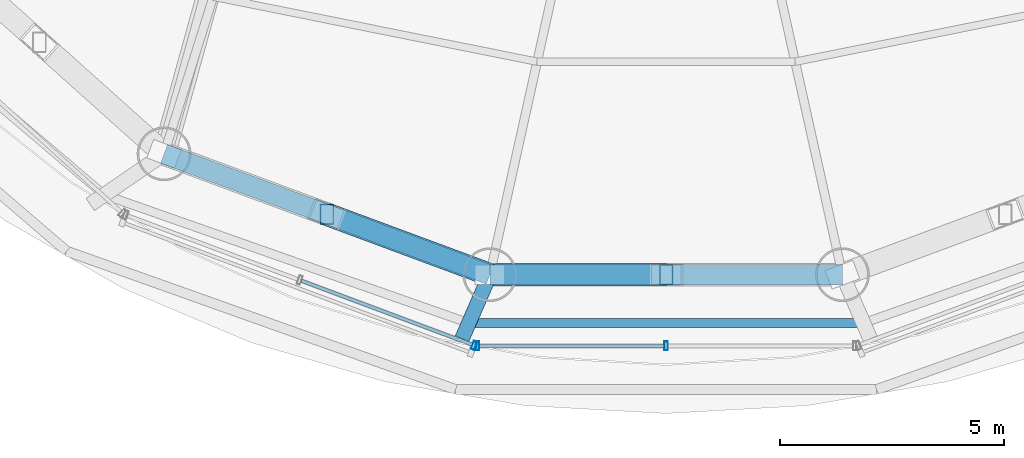
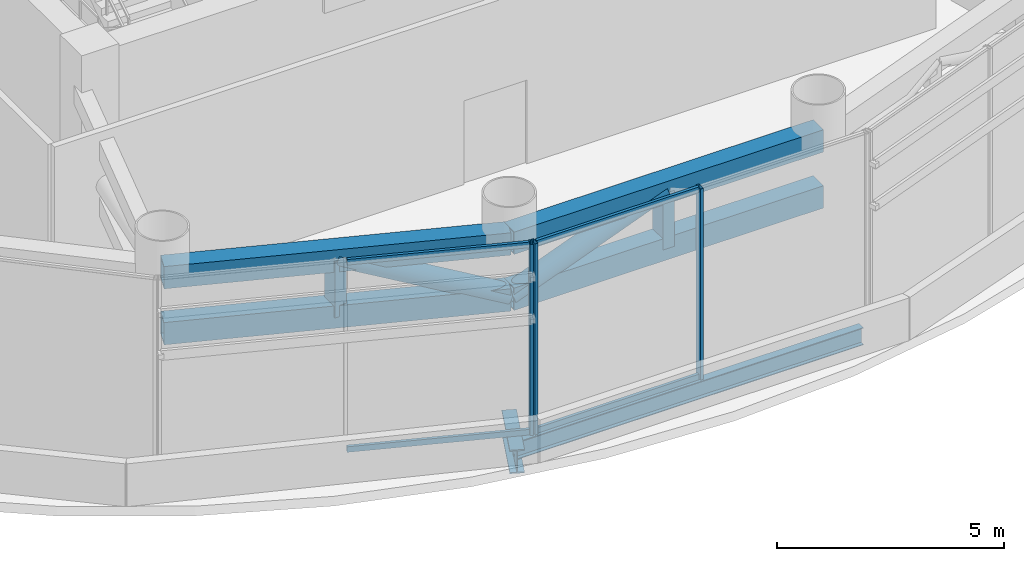
# One storey, part 4 of 25: 15 members, 2 beams, 2 elements without a shape of their own.
"""IFC4 building model written with IfcOpenShell, lengths in metres."""

from ifc_helpers import new_model, si_unit, direction, frame, origin, origin_2d, place, context, subcontext, project, spatial, hollow_rectangle, hollow_circle, i_section, extrude, source, transform, mapped, material, material_profile, profile_set, type_object, element, aggregate, save


model = new_model("IFC4")

# Units and contexts
model_context = context("Model", 3, precision=1e-05, world=origin(), true_north=direction((-0.2419218956, 0.970295726276)))
body_context = subcontext(model_context, "Body", "Model", "MODEL_VIEW")
ifc_project = project(units=[si_unit("LENGTHUNIT", "METRE"), si_unit("AREAUNIT", "SQUARE_METRE"), si_unit("VOLUMEUNIT", "CUBIC_METRE"), si_unit("PLANEANGLEUNIT", "RADIAN"), si_unit("MASSUNIT", "GRAM", prefix="KILO")], contexts=[model_context])

# Site, building, storey
site_placement = place(None, origin())
site = spatial("IfcSite", under=ifc_project, at=site_placement, CompositionType="ELEMENT")
building_placement = place(site_placement, origin())
building = spatial("IfcBuilding", under=site, at=building_placement, Name="Cobrevalo Terracotta Tower", CompositionType="ELEMENT")
storey_placement = place(building_placement, frame((0.0, 0.0, 185.800048828125)))
storey = spatial("IfcBuildingStorey", under=building, at=storey_placement, Name="L49", CompositionType="ELEMENT", Elevation=185.800048828125)

# Beams
ifc_material_1 = material(Name="Steel S355", Category="steel")
ifc_material_profile_1 = material_profile(ifc_material_1, i_section(OverallWidth=0.3291015625, OverallDepth=0.635009765625, WebThickness=0.017822265625, FlangeThickness=0.031005859375, at=origin_2d()), Name="W 610x241")
ifc_profile_set_1 = profile_set([ifc_material_profile_1], Name="Steel S355")
beam_type_1 = type_object("IfcBeamType", Name="Structural Beam W 610x241 (Steel S355)", PredefinedType="BEAM", material=ifc_profile_set_1)
beam_1_placement = place(storey_placement, frame((33.449462890625, 7.66943359375, -0.767578125), z_axis=(0.398043294493, 0.91736663102, 0.0), x_axis=(-0.91736663102, 0.398043294493, 0.0)))
element("IfcBeam", 1, at=beam_1_placement, inside=storey, type_object=beam_type_1, Name="L49 setback step-link girder 12", PredefinedType="BEAM", context=body_context, shape_type="SweptSolid", body=[
    extrude(i_section(OverallWidth=0.3291015625, OverallDepth=0.635009765625, WebThickness=0.017822265625, FlangeThickness=0.031005859375, at=origin_2d()), origin(), (0.0, 0.0, 1.0), 1.55615234375),
])
ifc_material_profile_2 = material_profile(ifc_material_1, i_section(OverallWidth=0.194091796875, OverallDepth=0.468994140625, WebThickness=0.011474609375, FlangeThickness=0.0205078125, at=origin_2d()), Name="W 460x106")
ifc_profile_set_2 = profile_set([ifc_material_profile_2], Name="Steel S355")
beam_type_2 = type_object("IfcBeamType", Name="Structural Spandrel W 460x106 (Steel S355)", PredefinedType="SPANDREL", material=ifc_profile_set_2)
beam_2_placement = place(storey_placement, frame((33.600830078125, 8.01806640625, -0.6845703125), z_axis=(1.0, 0.0, 0.0), x_axis=(0.0, 1.0, 0.0)))
element("IfcBeam", 2, at=beam_2_placement, inside=storey, type_object=beam_type_2, Name="L49 perimeter ring spandrel 12", PredefinedType="SPANDREL", context=body_context, shape_type="SweptSolid", body=[
    extrude(i_section(OverallWidth=0.194091796875, OverallDepth=0.468994140625, WebThickness=0.011474609375, FlangeThickness=0.0205078125, at=origin_2d()), origin(), (0.0, 0.0, 1.0), 8.79833984375),
])

# Members
ifc_material_profile_3 = material_profile(ifc_material_1, hollow_rectangle(XDim=0.300048828125, YDim=0.449951171875, WallThickness=0.02001953125, at=origin_2d()), Name="RHS 450x300x20")
ifc_profile_set_3 = profile_set([ifc_material_profile_3], Name="Steel S355")
member_type_1 = type_object("IfcMemberType", Name="Steel Post RHS 450x300x20 (Steel S355)", PredefinedType="POST", material=ifc_profile_set_3)
shared_shape_1 = source(origin(), body_context, "Body", "SweptSolid", [
    extrude(hollow_rectangle(XDim=0.300048828125, YDim=0.449951171875, WallThickness=0.02001953125, at=origin_2d()), origin(), (0.0, 0.0, 1.0), 1.505126953125),
])
for number, where, z_axis, x_axis, name in (
    (3, (30.43701171875, 10.4443359375, 2.64990234375), (0.0, 0.0, 1.0), (1.0, 0.0, 0.0), "L49 belt truss post 11"),
    (4, (38.0, 9.096923828125, 2.64990234375), (0.0, 0.0, 1.0), (1.0, 0.0, 0.0), "L49 belt truss post 12"),
):
    element("IfcMember", number, at=place(storey_placement, frame(where, z_axis=z_axis, x_axis=x_axis)), inside=storey, type_object=member_type_1, Name=name, PredefinedType="POST", context=body_context, shape_type="MappedRepresentation", body=[
        mapped(shared_shape_1, transform((0.0, 0.0, 0.0), scale=1.0)),
    ])
ifc_material_profile_4 = material_profile(ifc_material_1, hollow_rectangle(XDim=0.449951171875, YDim=0.60009765625, WallThickness=0.028076171875, at=origin_2d()), Name="RHS 600x450x28")
ifc_profile_set_4 = profile_set([ifc_material_profile_4], Name="Steel S355")
member_type_2 = type_object("IfcMemberType", Name="Steel Chord RHS 600x450x28 (Steel S355)", PredefinedType="CHORD", material=ifc_profile_set_4)
shared_shape_2 = source(origin(), body_context, "Body", "SweptSolid", [
    extrude(hollow_rectangle(XDim=0.449951171875, YDim=0.60009765625, WallThickness=0.028076171875, at=origin_2d()), origin(), (0.0, 0.0, 1.0), 7.74755859375),
])
for number, where, z_axis, x_axis, name in (
    (5, (26.80517578125, 11.7919921875, 2.64990234375), (0.937545996665, -0.347861328892, 0.0), (0.347861328892, 0.937545996665, 0.0), "L49 belt truss chord 11-BC"),
    (6, (26.80517578125, 11.7919921875, 4.155029296875), (0.937545996665, -0.347861328892, 0.0), (0.347861328892, 0.937545996665, 0.0), "L49 belt truss chord 11-TC"),
):
    element("IfcMember", number, at=place(storey_placement, frame(where, z_axis=z_axis, x_axis=x_axis)), inside=storey, type_object=member_type_2, Name=name, PredefinedType="CHORD", context=body_context, shape_type="MappedRepresentation", body=[
        mapped(shared_shape_2, transform((0.0, 0.0, 0.0), scale=1.0)),
    ])
ifc_material_profile_5 = material_profile(ifc_material_1, hollow_circle(Radius=0.25390625, WallThickness=0.02001953125, at=origin_2d()), Name="CHS 508x20")
ifc_profile_set_5 = profile_set([ifc_material_profile_5], Name="Steel S355")
member_type_3 = type_object("IfcMemberType", Name="Steel Brace CHS 508x20 (Steel S355)", PredefinedType="BRACE", material=ifc_profile_set_5)
shared_shape_3 = source(origin(), body_context, "Body", "SweptSolid", [
    extrude(hollow_circle(Radius=0.25390625, WallThickness=0.02001953125, at=origin_2d()), origin(), (0.0, 0.0, 1.0), 4.15576171875),
])
member_1_placement = place(storey_placement, frame((34.06884765625, 9.096923828125, 2.64990234375), z_axis=(-0.873907532871, 0.32421992968, 0.362169934132), x_axis=(-0.347833629596, -0.937556273576, 0.0)))
element("IfcMember", 7, at=member_1_placement, inside=storey, type_object=member_type_3, Name="L49 belt truss diagonal brace 11-D2", PredefinedType="BRACE", context=body_context, shape_type="MappedRepresentation", body=[
    mapped(shared_shape_3, transform((0.0, 0.0, 0.0), scale=1.0)),
])
shared_shape_4 = source(origin(), body_context, "Body", "SweptSolid", [
    extrude(hollow_rectangle(XDim=0.449951171875, YDim=0.60009765625, WallThickness=0.028076171875, at=origin_2d()), origin(), (0.0, 0.0, 1.0), 7.8623046875),
])
for number, where, z_axis, x_axis, name in (
    (8, (34.06884765625, 9.096923828125, 2.64990234375), (1.0, 0.0, 0.0), (0.0, 1.0, 0.0), "L49 belt truss chord 12-BC"),
    (9, (34.06884765625, 9.096923828125, 4.155029296875), (1.0, 0.0, 0.0), (0.0, 1.0, 0.0), "L49 belt truss chord 12-TC"),
):
    element("IfcMember", number, at=place(storey_placement, frame(where, z_axis=z_axis, x_axis=x_axis)), inside=storey, type_object=member_type_2, Name=name, PredefinedType="CHORD", context=body_context, shape_type="MappedRepresentation", body=[
        mapped(shared_shape_4, transform((0.0, 0.0, 0.0), scale=1.0)),
    ])
shared_shape_5 = source(origin(), body_context, "Body", "SweptSolid", [
    extrude(hollow_circle(Radius=0.25390625, WallThickness=0.02001953125, at=origin_2d()), origin(), (0.0, 0.0, 1.0), 4.20947265625),
])
member_2_placement = place(storey_placement, frame((34.06884765625, 9.096923828125, 2.64990234375), z_axis=(0.933890131622, 0.0, 0.35756009573), x_axis=(0.0, 1.0, 0.0)))
element("IfcMember", 10, at=member_2_placement, inside=storey, type_object=member_type_3, Name="L49 belt truss diagonal brace 12-D1", PredefinedType="BRACE", context=body_context, shape_type="MappedRepresentation", body=[
    mapped(shared_shape_5, transform((0.0, 0.0, 0.0), scale=1.0)),
])

# Curtain wall, member
ifc_material_2 = material(Name="Anodized aluminium", Category="aluminium")
curtain_wall_type = type_object("IfcCurtainWallType", Name="Belt-truss plant acoustic weather-louvre curtain wall CW-LV", PredefinedType="NOTDEFINED", material=ifc_material_2)
curtain_wall_1_placement = place(storey_placement, origin())
curtain_wall_1 = element("IfcCurtainWall", 11, at=curtain_wall_1_placement, inside=storey, type_object=curtain_wall_type, Name="L49 curtain wall CW-LV-L49-S11", PredefinedType="NOTDEFINED")
ifc_material_profile_6 = material_profile(ifc_material_2, hollow_rectangle(XDim=0.074951171875, YDim=0.199951171875, WallThickness=0.0048828125, at=origin_2d()), Name="CWM 75x200")
ifc_profile_set_6 = profile_set([ifc_material_profile_6], Name="Anodized aluminium")
member_type_4 = type_object("IfcMemberType", Name="Lower/mid tower unitised mullion 75x200", PredefinedType="MULLION", material=ifc_profile_set_6)
shared_shape_6 = source(origin(), body_context, "Body", "SweptSolid", [
    extrude(hollow_rectangle(XDim=0.074951171875, YDim=0.199951171875, WallThickness=0.0048828125, at=origin_2d()), origin(), (0.0, 0.0, 1.0), 5.135009765625),
])
member_3_placement = place(storey_placement, frame((33.71533203125, 7.52197265625, 0.0), z_axis=(0.0, 0.0, 1.0), x_axis=(0.936556004584, -0.350517974259, 0.0)))
member_3 = element("IfcMember", 12, at=member_3_placement, type_object=member_type_4, Name="CW-LV-L49-S11 vertical mullion 03", PredefinedType="MULLION", context=body_context, shape_type="MappedRepresentation", body=[
    mapped(shared_shape_6, transform((0.0, 0.0, 0.0), scale=1.0)),
])

# Curtain wall, members
curtain_wall_2_placement = place(storey_placement, origin())
curtain_wall_2 = element("IfcCurtainWall", 13, at=curtain_wall_2_placement, inside=storey, type_object=curtain_wall_type, Name="L49 curtain wall CW-LV-L49-S12", PredefinedType="NOTDEFINED")
member_4_placement = place(storey_placement, frame((33.79296875, 7.508056640625, 0.0), z_axis=(0.0, 0.0, 1.0), x_axis=(1.0, 0.0, 0.0)))
member_4 = element("IfcMember", 14, at=member_4_placement, type_object=member_type_4, Name="CW-LV-L49-S12 vertical mullion 01", PredefinedType="MULLION", context=body_context, shape_type="MappedRepresentation", body=[
    mapped(shared_shape_6, transform((0.0, 0.0, 0.0), scale=1.0)),
])
member_5_placement = place(storey_placement, frame((38.0, 7.508056640625, 0.0), z_axis=(0.0, 0.0, 1.0), x_axis=(1.0, 0.0, 0.0)))
member_5 = element("IfcMember", 15, at=member_5_placement, type_object=member_type_4, Name="CW-LV-L49-S12 vertical mullion 02", PredefinedType="MULLION", context=body_context, shape_type="MappedRepresentation", body=[
    mapped(shared_shape_6, transform((0.0, 0.0, 0.0), scale=1.0)),
])

# Member
ifc_material_profile_7 = material_profile(ifc_material_2, hollow_rectangle(XDim=0.074951171875, YDim=0.14990234375, WallThickness=0.00439453125, at=origin_2d()), Name="CWT 75x150")
ifc_profile_set_7 = profile_set([ifc_material_profile_7], Name="Anodized aluminium")
member_type_5 = type_object("IfcMemberType", Name="Tower unitised aluminium transom 75x150", PredefinedType="USERDEFINED", material=ifc_profile_set_7)
shared_shape_7 = source(origin(), body_context, "Body", "SweptSolid", [
    extrude(hollow_rectangle(XDim=0.074951171875, YDim=0.14990234375, WallThickness=0.00439453125, at=origin_2d()), origin(), (0.0, 0.0, 1.0), 4.06982421875),
])
member_6_placement = place(storey_placement, frame((29.866455078125, 8.96240234375, 0.050048828125), z_axis=(0.936555791772, -0.350518542873, 0.0), x_axis=(0.350518542873, 0.936555791772, 0.0)))
member_6 = element("IfcMember", 16, at=member_6_placement, type_object=member_type_5, Name="CW-LV-L49-S11 transom B02-T1", ObjectType="TRANSOM", PredefinedType="USERDEFINED", context=body_context, shape_type="MappedRepresentation", body=[
    mapped(shared_shape_7, transform((0.0, 0.0, 0.0), scale=1.0)),
])

member_7_placement = place(storey_placement, frame((29.866455078125, 8.96240234375, 5.0849609375), z_axis=(0.936555791772, -0.350518542873, 0.0), x_axis=(0.350518542873, 0.936555791772, 0.0)))
member_7 = element("IfcMember", 17, at=member_7_placement, type_object=member_type_5, Name="CW-LV-L49-S11 transom B02-T2", ObjectType="TRANSOM", PredefinedType="USERDEFINED", context=body_context, shape_type="MappedRepresentation", body=[
    mapped(shared_shape_7, transform((0.0, 0.0, 0.0), scale=1.0)),
])

aggregate(curtain_wall_1, [member_3, member_6, member_7])

shared_shape_8 = source(origin(), body_context, "Body", "SweptSolid", [
    extrude(hollow_rectangle(XDim=0.074951171875, YDim=0.14990234375, WallThickness=0.00439453125, at=origin_2d()), origin(), (0.0, 0.0, 1.0), 4.127197265625),
])
member_8_placement = place(storey_placement, frame((33.832763671875, 7.508056640625, 0.050048828125), z_axis=(1.0, 0.0, 0.0), x_axis=(0.0, 1.0, 0.0)))
member_8 = element("IfcMember", 18, at=member_8_placement, type_object=member_type_5, Name="CW-LV-L49-S12 transom B01-T1", ObjectType="TRANSOM", PredefinedType="USERDEFINED", context=body_context, shape_type="MappedRepresentation", body=[
    mapped(shared_shape_8, transform((0.0, 0.0, 0.0), scale=1.0)),
])

member_9_placement = place(storey_placement, frame((33.832763671875, 7.508056640625, 5.0849609375), z_axis=(1.0, 0.0, 0.0), x_axis=(0.0, 1.0, 0.0)))
member_9 = element("IfcMember", 19, at=member_9_placement, type_object=member_type_5, Name="CW-LV-L49-S12 transom B01-T2", ObjectType="TRANSOM", PredefinedType="USERDEFINED", context=body_context, shape_type="MappedRepresentation", body=[
    mapped(shared_shape_8, transform((0.0, 0.0, 0.0), scale=1.0)),
])

aggregate(curtain_wall_2, [member_4, member_5, member_8, member_9])

save(model, "model.ifc")
